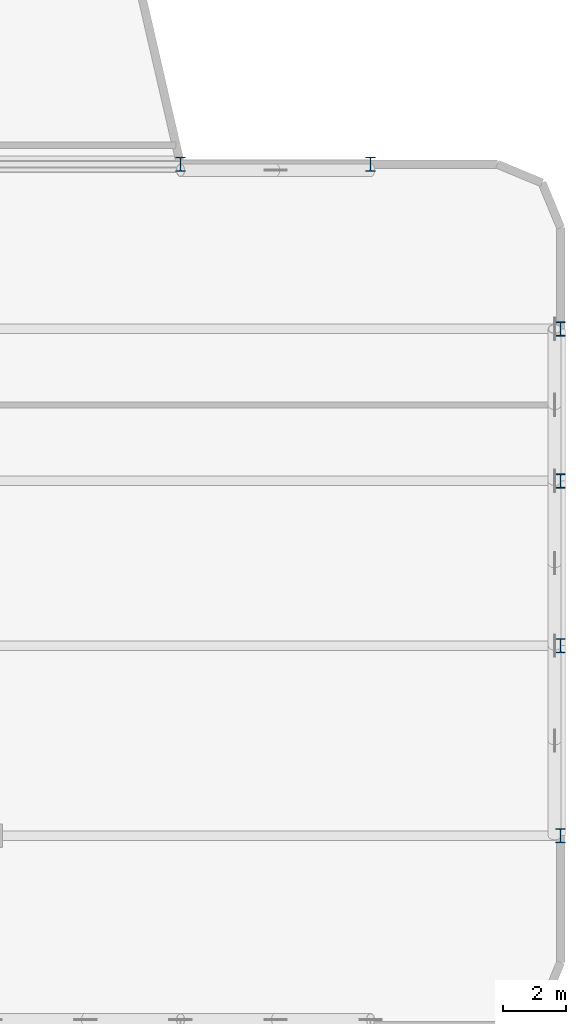
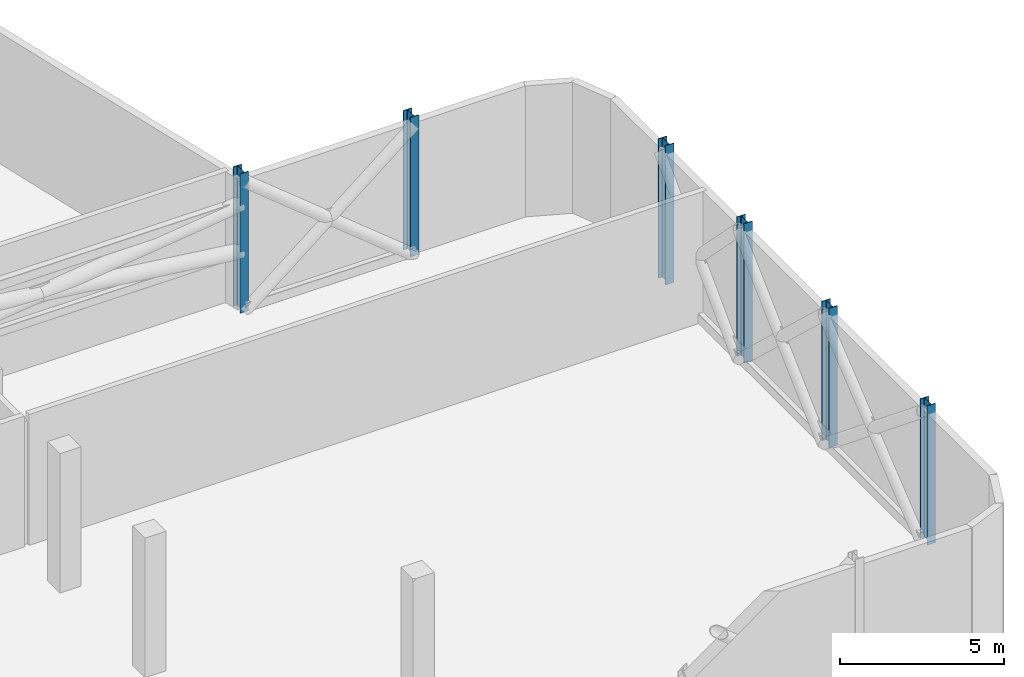
# One storey, part 2 of 12: 6 columns.
"""IFC4 building model written with IfcOpenShell, lengths in metres."""

from ifc_helpers import new_model, si_unit, direction, frame, origin, origin_2d, place, context, subcontext, project, spatial, i_section, extrude, material, material_profile, profile_set, type_object, element, save


model = new_model("IFC4")

# Units and contexts
model_context = context("Model", 3, precision=1e-05, world=origin(), true_north=direction((0.0, 1.0)))
body_context = subcontext(model_context, "Body", "Model", "MODEL_VIEW")
ifc_project = project(units=[si_unit("LENGTHUNIT", "METRE"), si_unit("AREAUNIT", "SQUARE_METRE"), si_unit("VOLUMEUNIT", "CUBIC_METRE"), si_unit("PLANEANGLEUNIT", "RADIAN"), si_unit("MASSUNIT", "GRAM", prefix="KILO")], contexts=[model_context])

# Site, building, storey
site_placement = place(None, origin())
site = spatial("IfcSite", under=ifc_project, at=site_placement, CompositionType="ELEMENT")
building_placement = place(site_placement, origin())
building = spatial("IfcBuilding", under=site, at=building_placement, Name="Keshet Zoharim Tower", CompositionType="ELEMENT")
storey_placement = place(building_placement, frame((0.0, 0.0, 237.60009765625)))
storey = spatial("IfcBuildingStorey", under=building, at=storey_placement, Name="L59", CompositionType="ELEMENT", Elevation=237.60009765625)

# Columns
ifc_material = material(Name="Steel S355", Category="steel")
ifc_material_profile = material_profile(ifc_material, i_section(OverallWidth=0.300048828125, OverallDepth=0.449951171875, WebThickness=0.013916015625, FlangeThickness=0.02587890625, FilletRadius=0.027099609375, at=origin_2d()), Name="HEB450")
ifc_profile_set = profile_set([ifc_material_profile], Name="Steel S355")
column_type = type_object("IfcColumnType", Name="COL-HEB450", PredefinedType="COLUMN", material=ifc_profile_set)
for number, where, z_axis, x_axis, name in (
    (1, (45.0, 27.89990234375, 0.0), (0.0, 0.0, 1.0), (1.0, 0.0, 0.0), "L59 Column 8F"),
    (2, (51.0, 27.89990234375, 0.0), (0.0, 0.0, 1.0), (1.0, 0.0, 0.0), "L59 Column 9F"),
    (3, (57.0, 6.699951171875, 0.0), (0.0, 0.0, 1.0), (1.0, 0.0, 0.0), "L59 Column 10B"),
    (4, (57.0, 12.699951171875, 0.0), (0.0, 0.0, 1.0), (1.0, 0.0, 0.0), "L59 Column 10C"),
    (5, (57.0, 17.89990234375, 0.0), (0.0, 0.0, 1.0), (1.0, 0.0, 0.0), "L59 Column 10D"),
    (6, (57.0, 22.699951171875, 0.0), (0.0, 0.0, 1.0), (1.0, 0.0, 0.0), "L59 Column 10E"),
):
    element("IfcColumn", number, at=place(storey_placement, frame(where, z_axis=z_axis, x_axis=x_axis)), inside=storey, type_object=column_type, Name=name, PredefinedType="COLUMN", context=body_context, shape_type="SweptSolid", body=[
        extrude(i_section(OverallWidth=0.300048828125, OverallDepth=0.449951171875, WebThickness=0.013916015625, FlangeThickness=0.02587890625, FilletRadius=0.027099609375, at=origin_2d()), origin(), (0.0, 0.0, 1.0), 5.199951171875),
    ])

save(model, "model.ifc")
